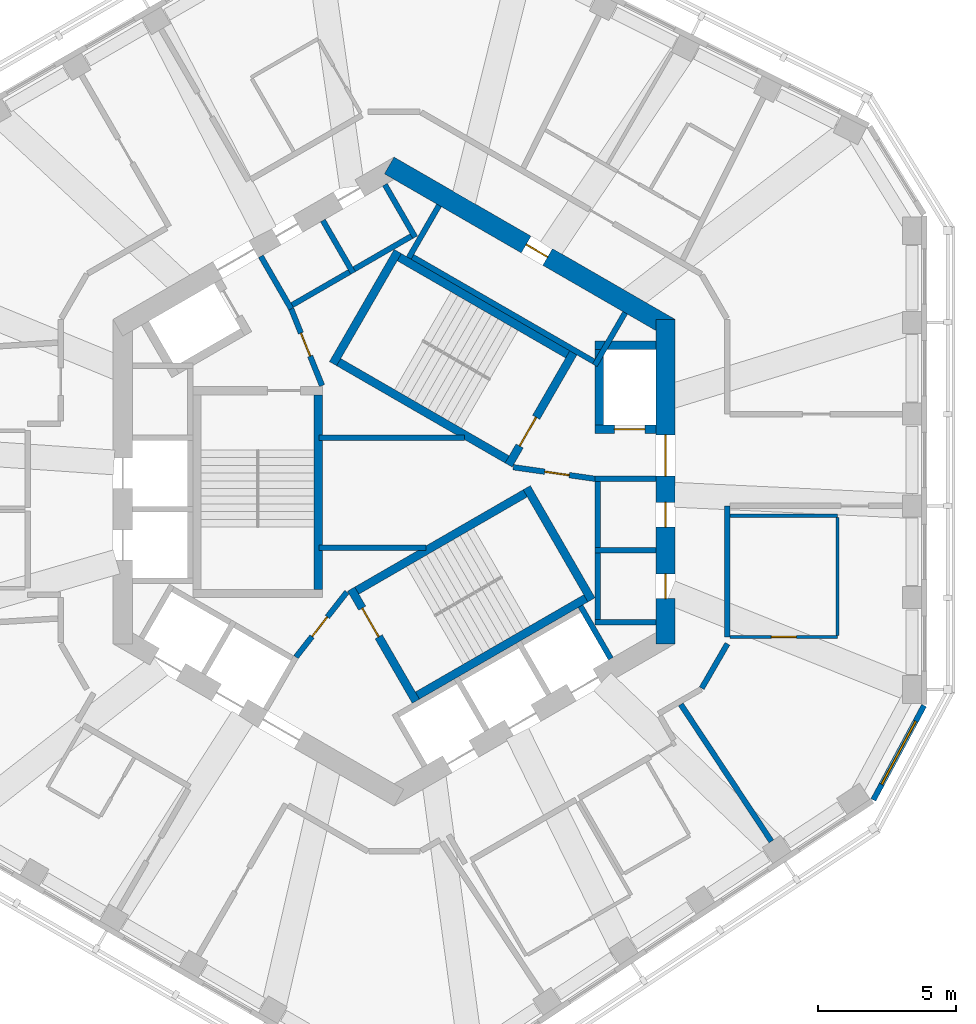
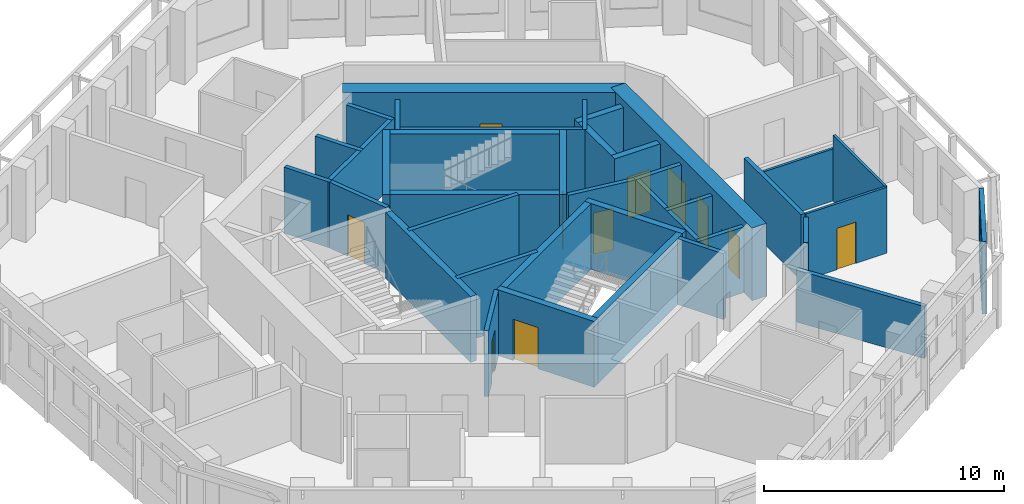
# One storey, part 6 of 11: 38 walls, 11 doors, 1 window, 12 openings.
"""IFC4 building model written with IfcOpenShell, lengths in metres."""

import ifcopenshell
import ifcopenshell.guid

model = None  # the IFC model being written
_history = None  # IfcOwnerHistory: only IFC2X3 demands one
_inside = {}  # id of a spatial element -> (the spatial element, [elements in it])
_under = {}  # id of a project, library or spatial element -> (it, [spatial elements below it])
_declared = {}  # id of a project -> (the project, [libraries it declares])
_typed = {}  # id of a type object -> (the type object, [elements of that type])
_made_of = {}  # id of a material, layer set ... -> (it, [elements and type objects made of it])


def new_model(schema):
    """Start an empty IFC model of exactly this schema.

    Asked for "IFC4X3", IfcOpenShell would pick the latest addendum, in which some entities
    have other attributes; the version numbers below select the first issue.
    IFC2X3 requires an IfcOwnerHistory on every rooted entity: one is made here for all.
    """
    global model, _history
    if schema == "IFC4X3":
        model = ifcopenshell.file(schema_version=(4, 3, 0, 0))
    else:
        model = ifcopenshell.file(schema=schema)
    _inside.clear()
    _under.clear()
    _declared.clear()
    _typed.clear()
    _made_of.clear()
    _history = None
    if model.schema == "IFC2X3":
        org = make("IfcOrganization", Name="unknown")
        user = make(
            "IfcPersonAndOrganization",
            ThePerson=make("IfcPerson", FamilyName="unknown"),
            TheOrganization=org,
        )
        app = make(
            "IfcApplication",
            ApplicationDeveloper=org,
            Version="unknown",
            ApplicationFullName="unknown",
            ApplicationIdentifier="unknown",
        )
        _history = make(
            "IfcOwnerHistory",
            OwningUser=user,
            OwningApplication=app,
            ChangeAction="ADDED",
            CreationDate=0,
        )
    return model


def make(cls, **values):
    """One entity of the class cls with the attributes given. An attribute that is None is left unset."""
    return model.create_entity(
        cls, **{name: value for name, value in values.items() if value is not None}
    )


def rooted(cls, **values):
    """An entity with a GlobalId (a new one), such as an element, a storey or a relation."""
    return make(cls, GlobalId=ifcopenshell.guid.new(), OwnerHistory=_history, **values)


def si_unit(unit_type, name, prefix=None):
    """IfcSIUnit, for example si_unit("LENGTHUNIT", "METRE", prefix="MILLI")."""
    return make("IfcSIUnit", UnitType=unit_type, Prefix=prefix, Name=name)


def assignment(units):
    """IfcUnitAssignment: the units of a project."""
    return None if units is None else make("IfcUnitAssignment", Units=units)


def point(xyz):
    """IfcCartesianPoint."""
    return None if xyz is None else make("IfcCartesianPoint", Coordinates=xyz)


def direction(xyz):
    """IfcDirection."""
    return None if xyz is None else make("IfcDirection", DirectionRatios=xyz)


def frame(location, z_axis=None, x_axis=None):
    """IfcAxis2Placement3D, a coordinate frame: its origin and axes. An axis left out is left unset."""
    return make(
        "IfcAxis2Placement3D",
        Location=point(location),
        Axis=direction(z_axis),
        RefDirection=direction(x_axis),
    )


def frame_2d(location, x_axis=None):
    """IfcAxis2Placement2D, a coordinate frame in the plane: its origin and x axis."""
    return make(
        "IfcAxis2Placement2D", Location=point(location), RefDirection=direction(x_axis)
    )


def origin():
    """The frame at (0, 0, 0) with its axes left unset."""
    return frame((0.0, 0.0, 0.0))


def place(relative_to, where):
    """IfcLocalPlacement: puts the frame where relative to a parent placement (None: the world)."""
    return make(
        "IfcLocalPlacement", PlacementRelTo=relative_to, RelativePlacement=where
    )


def context(
    kind, dimensions, precision=None, world=None, true_north=None, identifier=None
):
    """IfcGeometricRepresentationContext, for example the 3D "Model" context."""
    return make(
        "IfcGeometricRepresentationContext",
        ContextIdentifier=identifier,
        ContextType=kind,
        CoordinateSpaceDimension=dimensions,
        Precision=precision,
        WorldCoordinateSystem=world,
        TrueNorth=true_north,
    )


def subcontext(parent, identifier, kind, view, scale=None):
    """IfcGeometricRepresentationSubContext, for example "Body" below "Model"."""
    return make(
        "IfcGeometricRepresentationSubContext",
        ContextIdentifier=identifier,
        ContextType=kind,
        ParentContext=parent,
        TargetScale=scale,
        TargetView=view,
    )


def project(units=None, contexts=None):
    """IfcProject with its units and contexts."""
    return rooted(
        "IfcProject",
        Name="project",
        RepresentationContexts=contexts,
        UnitsInContext=assignment(units),
    )


def spatial(cls, under=None, at=None, **own):
    """A site, building, storey or space (cls), placed at a placement, below another one or the project."""
    s = rooted(cls, ObjectPlacement=at, **own)
    if under is not None:
        _under.setdefault(under.id(), (under, []))[1].append(s)
    return s


def profile(cls, at=None, kind="AREA", **sizes):
    """A parametric profile (cls). Its sizes go by their IFC names, for example OverallWidth=200.0."""
    return make(cls, ProfileType=kind, Position=at, **sizes)


def rectangle(**sizes):
    """IfcRectangleProfileDef."""
    return profile("IfcRectangleProfileDef", **sizes)


def extrude(swept, where, along, depth):
    """IfcExtrudedAreaSolid: the profile swept, set in the frame where, extruded along a direction by depth."""
    return make(
        "IfcExtrudedAreaSolid",
        SweptArea=swept,
        Position=where,
        ExtrudedDirection=direction(along),
        Depth=depth,
    )


def shape(context_of_items, identifier, shape_type, items):
    """IfcShapeRepresentation: the items that make up one representation, for example the "Body"."""
    return make(
        "IfcShapeRepresentation",
        ContextOfItems=context_of_items,
        RepresentationIdentifier=identifier,
        RepresentationType=shape_type,
        Items=items,
    )


def material(Name=None, Category=None):
    """IfcMaterial."""
    return make("IfcMaterial", Name=Name, Category=Category)


def layer(
    of_material, thickness, ventilated=None, Name=None, Category=None, Priority=None
):
    """IfcMaterialLayer: one layer of a wall or slab, of a material (None: an air gap)."""
    return make(
        "IfcMaterialLayer",
        Material=of_material,
        LayerThickness=thickness,
        IsVentilated=ventilated,
        Name=Name,
        Category=Category,
        Priority=Priority,
    )


def layer_set(layers, Name=None):
    """IfcMaterialLayerSet."""
    return make("IfcMaterialLayerSet", MaterialLayers=layers, LayerSetName=Name)


def made_of(thing, what):
    """Note that an element or type object is made of a material, layer set ...; save() writes the relation."""
    if what is not None:
        _made_of.setdefault(what.id(), (what, []))[1].append(thing)
    return thing


def type_object(cls, material=None, **own):
    """A type object (cls), such as IfcWallType, which elements share."""
    return made_of(rooted(cls, **own), material)


def element(
    cls,
    number,
    at=None,
    inside=None,
    cuts=None,
    type_object=None,
    material=None,
    context=None,
    identifier="Body",
    shape_type=None,
    held_by="IfcProductDefinitionShape",
    body=None,
    shapes=None,
    **own,
):
    """One element of the class cls, such as IfcWall. Its Tag is "e" and its number.

    at: its placement. inside: the storey or other place that contains it. cuts: it is an
    opening in that element (IfcRelVoidsElement). A single representation is given by context,
    identifier, shape_type and body (its items); several are given by shapes. held_by: the class
    of the entity that holds the representations. save() writes the other relations.
    """
    e = rooted(cls, Tag="e%d" % number, ObjectPlacement=at, **own)
    if body is not None:
        shapes = [shape(context, identifier, shape_type, body)]
    if shapes is not None:
        e.Representation = make(held_by, Representations=shapes)
    if inside is not None:
        _inside.setdefault(inside.id(), (inside, []))[1].append(e)
    if cuts is not None:
        rooted(
            "IfcRelVoidsElement", RelatingBuildingElement=cuts, RelatedOpeningElement=e
        )
    if type_object is not None:
        _typed.setdefault(type_object.id(), (type_object, []))[1].append(e)
    return made_of(e, material)


def fill(opening, filler):
    """IfcRelFillsElement: the door or window that sits in an opening."""
    return rooted(
        "IfcRelFillsElement",
        RelatingOpeningElement=opening,
        RelatedBuildingElement=filler,
    )


def aggregate(whole, parts):
    """IfcRelAggregates: a whole, such as a stair, and the parts it consists of."""
    return rooted("IfcRelAggregates", RelatingObject=whole, RelatedObjects=parts)


def save(model, path):
    """Write the relations noted so far, then the file.

    IfcRelAggregates (storeys below a building ...), IfcRelContainedInSpatialStructure (elements
    in a storey), IfcRelDefinesByType, IfcRelAssociatesMaterial and IfcRelDeclares: one each for
    every whole, place, type object, material and project.
    """
    for whole, parts in _under.values():
        aggregate(whole, parts)
    for where, things in _inside.values():
        rooted(
            "IfcRelContainedInSpatialStructure",
            RelatedElements=things,
            RelatingStructure=where,
        )
    for kind, things in _typed.values():
        rooted("IfcRelDefinesByType", RelatedObjects=things, RelatingType=kind)
    for what, things in _made_of.values():
        rooted("IfcRelAssociatesMaterial", RelatedObjects=things, RelatingMaterial=what)
    for by, libraries in _declared.values():
        rooted("IfcRelDeclares", RelatingContext=by, RelatedDefinitions=libraries)
    model.write(path)


model = new_model("IFC4")

# Units and contexts
model_context = context("Model", 3, precision=1e-05, world=origin(), true_north=direction((0.0, 1.0)))
body_context = subcontext(model_context, "Body", "Model", "MODEL_VIEW")
ifc_project = project(units=[si_unit("LENGTHUNIT", "METRE"), si_unit("AREAUNIT", "SQUARE_METRE"), si_unit("VOLUMEUNIT", "CUBIC_METRE"), si_unit("PLANEANGLEUNIT", "RADIAN"), si_unit("MASSUNIT", "GRAM", prefix="KILO")], contexts=[model_context])

# Site, building, storey
site_placement = place(None, origin())
site = spatial("IfcSite", under=ifc_project, at=site_placement, CompositionType="ELEMENT")
building_placement = place(site_placement, origin())
building = spatial("IfcBuilding", under=site, at=building_placement, Name="Vanh Sen Convention Tower", CompositionType="ELEMENT")
storey_placement = place(building_placement, frame((0.0, 0.0, 274.60009765625)))
storey = spatial("IfcBuildingStorey", under=building, at=storey_placement, Name="L68", CompositionType="ELEMENT", Elevation=274.60009765625)

# Wall
ifc_material_1 = material(Name="Moisture-resistant gypsum board on steel studs", Category="steel")
ifc_layer_1 = layer(ifc_material_1, 0.1201171875)
ifc_layer_set_1 = layer_set([ifc_layer_1], Name="Moisture-resistant gypsum board on steel studs")
wall_type_1 = type_object("IfcWallType", Name="Bathroom partition 120", PredefinedType="PARTITIONING", material=ifc_layer_set_1)
wall_1_placement = place(storey_placement, frame((12.199951171875, -1.239013671875, 0.0), z_axis=(0.0, 0.0, 1.0), x_axis=(1.0, 0.0, 0.0)))
element("IfcWall", 1, at=wall_1_placement, inside=storey, type_object=wall_type_1, Name="Bathroom partition 120", PredefinedType="PARTITIONING", context=body_context, shape_type="SweptSolid", body=[
    extrude(rectangle(XDim=3.900146484375, YDim=0.1201171875, at=frame_2d((1.9501953125, 0.0))), origin(), (0.0, 0.0, 1.0), 2.64990234375),
])

# Wall, opening, door
wall_2_placement = place(storey_placement, frame((16.10009765625, -5.638916015625, 0.0), z_axis=(0.0, 0.0, 1.0), x_axis=(-1.0, 0.0, 0.0)))
wall_2 = element("IfcWall", 2, at=wall_2_placement, inside=storey, type_object=wall_type_1, Name="Bathroom partition 120", PredefinedType="PARTITIONING", context=body_context, shape_type="SweptSolid", body=[
    extrude(rectangle(XDim=3.900146484375, YDim=0.1201171875, at=frame_2d((1.9501953125, 0.0))), origin(), (0.0, 0.0, 1.0), 3.349853515625),
])
opening_1_placement = place(wall_2_placement, frame((1.5, 0.0, 0.0)))
opening_1 = element("IfcOpeningElement", 3, at=opening_1_placement, cuts=wall_2, Name="Opening D67119", PredefinedType="OPENING", context=body_context, shape_type="SweptSolid", body=[
    extrude(rectangle(XDim=0.89990234375, YDim=2.10009765625, at=frame_2d((0.449951171875, 1.050048828125))), frame((0.0, 0.070068359375, 0.0), z_axis=(0.0, -1.0, 0.0), x_axis=(1.0, 0.0, 0.0)), (0.0, 0.0, 1.0), 0.14013671875),
])
ifc_material_2 = material(Name="Laminate door in steel frame", Category="steel")
door_type_1 = type_object("IfcDoorType", Name="Room internal door 900", OperationType="SINGLE_SWING_LEFT", PredefinedType="DOOR", material=ifc_material_2)
door_1_placement = place(opening_1_placement, origin())
door_1 = element("IfcDoor", 4, at=door_1_placement, inside=storey, type_object=door_type_1, Name="Internal room door D67119", OperationType="SINGLE_SWING_LEFT", OverallHeight=2.10009765625, OverallWidth=0.89990234375, PredefinedType="DOOR", context=body_context, shape_type="SweptSolid", body=[
    extrude(rectangle(XDim=0.89990234375, YDim=2.10009765625, at=frame_2d((0.449951171875, 1.050048828125))), frame((0.0, 0.02490234375, 0.0), z_axis=(0.0, -1.0, 0.0), x_axis=(1.0, 0.0, 0.0)), (0.0, 0.0, 1.0), 0.050048828125),
])
fill(opening_1, door_1)

# Wall
wall_3_placement = place(storey_placement, frame((16.10009765625, -1.299072265625, 0.0), z_axis=(0.0, 0.0, 1.0), x_axis=(0.0, -1.0, 0.0)))
element("IfcWall", 5, at=wall_3_placement, inside=storey, type_object=wall_type_1, Name="Bathroom partition 120", PredefinedType="PARTITIONING", context=body_context, shape_type="SweptSolid", body=[
    extrude(rectangle(XDim=4.280029296875, YDim=0.1201171875, at=frame_2d((2.14013671875, 0.0))), origin(), (0.0, 0.0, 1.0), 3.349853515625),
])

# Wall, openings, doors
ifc_material_3 = material(Name="Concrete C60/75", Category="concrete")
ifc_layer_2 = layer(ifc_material_3, 0.699951171875)
ifc_layer_set_2 = layer_set([ifc_layer_2], Name="Concrete C60/75")
wall_type_2 = type_object("IfcWallType", Name="Core outer wall 700 C60/75", PredefinedType="SHEAR", material=ifc_layer_set_2)
wall_4_placement = place(storey_placement, frame((9.85009765625, -5.888916015625, 0.0), z_axis=(0.0, 0.0, 1.0), x_axis=(0.0, 1.0, 0.0)))
wall_4 = element("IfcWall", 6, at=wall_4_placement, inside=storey, type_object=wall_type_2, Name="Core wall face E L68", PredefinedType="SHEAR", context=body_context, shape_type="SweptSolid", body=[
    extrude(rectangle(XDim=11.77783203125, YDim=0.699951171875, at=frame_2d((5.888916015625, 0.0))), origin(), (0.0, 0.0, 1.0), 3.699951171875),
])
opening_2_placement = place(wall_4_placement, frame((6.089111328125, 0.0, 0.0)))
opening_2 = element("IfcOpeningElement", 7, at=opening_2_placement, cuts=wall_4, Name="Opening D67001", PredefinedType="OPENING", context=body_context, shape_type="SweptSolid", body=[
    extrude(rectangle(XDim=1.5, YDim=2.10009765625, at=frame_2d((0.75, 1.050048828125))), frame((0.0, 0.35986328125, 0.0), z_axis=(0.0, -1.0, 0.0), x_axis=(1.0, 0.0, 0.0)), (0.0, 0.0, 1.0), 0.719970703125),
])
opening_3_placement = place(wall_4_placement, frame((1.638916015625, 0.0, 0.0)))
opening_3 = element("IfcOpeningElement", 8, at=opening_3_placement, cuts=wall_4, Name="Opening D67010", PredefinedType="OPENING", context=body_context, shape_type="SweptSolid", body=[
    extrude(rectangle(XDim=0.89990234375, YDim=2.10009765625, at=frame_2d((0.449951171875, 1.050048828125))), frame((0.0, 0.35986328125, 0.0), z_axis=(0.0, -1.0, 0.0), x_axis=(1.0, 0.0, 0.0)), (0.0, 0.0, 1.0), 0.719970703125),
])
opening_4_placement = place(wall_4_placement, frame((4.239013671875, 0.0, 0.0)))
opening_4 = element("IfcOpeningElement", 9, at=opening_4_placement, cuts=wall_4, Name="Opening D67011", PredefinedType="OPENING", context=body_context, shape_type="SweptSolid", body=[
    extrude(rectangle(XDim=0.89990234375, YDim=2.10009765625, at=frame_2d((0.449951171875, 1.050048828125))), frame((0.0, 0.35986328125, 0.0), z_axis=(0.0, -1.0, 0.0), x_axis=(1.0, 0.0, 0.0)), (0.0, 0.0, 1.0), 0.719970703125),
])
ifc_material_4 = material(Name="Steel S355", Category="steel")
door_type_2 = type_object("IfcDoorType", Name="Plant door 900", OperationType="SINGLE_SWING_LEFT", PredefinedType="DOOR", material=ifc_material_4)
door_2_placement = place(opening_3_placement, origin())
door_2 = element("IfcDoor", 10, at=door_2_placement, inside=storey, type_object=door_type_2, Name="Plant door D67010", OperationType="SINGLE_SWING_LEFT", OverallHeight=2.10009765625, OverallWidth=0.89990234375, PredefinedType="DOOR", context=body_context, shape_type="SweptSolid", body=[
    extrude(rectangle(XDim=0.89990234375, YDim=2.10009765625, at=frame_2d((0.449951171875, 1.050048828125))), frame((0.0, 0.02490234375, 0.0), z_axis=(0.0, -1.0, 0.0), x_axis=(1.0, 0.0, 0.0)), (0.0, 0.0, 1.0), 0.050048828125),
])
fill(opening_3, door_2)
door_3_placement = place(opening_4_placement, origin())
door_3 = element("IfcDoor", 11, at=door_3_placement, inside=storey, type_object=door_type_2, Name="Plant door D67011", OperationType="SINGLE_SWING_LEFT", OverallHeight=2.10009765625, OverallWidth=0.89990234375, PredefinedType="DOOR", context=body_context, shape_type="SweptSolid", body=[
    extrude(rectangle(XDim=0.89990234375, YDim=2.10009765625, at=frame_2d((0.449951171875, 1.050048828125))), frame((0.0, 0.02490234375, 0.0), z_axis=(0.0, -1.0, 0.0), x_axis=(1.0, 0.0, 0.0)), (0.0, 0.0, 1.0), 0.050048828125),
])
fill(opening_4, door_3)
door_type_3 = type_object("IfcDoorType", Name="Stair lobby door 1500", OperationType="DOUBLE_DOOR_SINGLE_SWING", PredefinedType="DOOR", material=ifc_material_4)
door_4_placement = place(opening_2_placement, origin())
door_4 = element("IfcDoor", 12, at=door_4_placement, inside=storey, type_object=door_type_3, Name="Stair lobby door D67001", OperationType="DOUBLE_DOOR_SINGLE_SWING", OverallHeight=2.10009765625, OverallWidth=1.5, PredefinedType="DOOR", context=body_context, shape_type="SweptSolid", body=[
    extrude(rectangle(XDim=1.5, YDim=2.10009765625, at=frame_2d((0.75, 1.050048828125))), frame((0.0, 0.02490234375, 0.0), z_axis=(0.0, -1.0, 0.0), x_axis=(1.0, 0.0, 0.0)), (0.0, 0.0, 1.0), 0.050048828125),
])
fill(opening_2, door_4)

# Wall, opening, door
wall_5_placement = place(storey_placement, frame((10.02490234375, 5.5859375, 0.0), z_axis=(0.0, 0.0, 1.0), x_axis=(-0.866026453023, 0.499998182661, 0.0)))
wall_5 = element("IfcWall", 13, at=wall_5_placement, inside=storey, type_object=wall_type_2, Name="Core wall face NE L68", PredefinedType="SHEAR", context=body_context, shape_type="SweptSolid", body=[
    extrude(rectangle(XDim=11.77783203125, YDim=0.699951171875, at=frame_2d((5.888916015625, 0.0))), origin(), (0.0, 0.0, 1.0), 3.699951171875),
])
opening_5_placement = place(wall_5_placement, frame((5.138916015625, 0.0, 0.0)))
opening_5 = element("IfcOpeningElement", 14, at=opening_5_placement, cuts=wall_5, Name="Opening D67012", PredefinedType="OPENING", context=body_context, shape_type="SweptSolid", body=[
    extrude(rectangle(XDim=0.89990234375, YDim=2.10009765625, at=frame_2d((0.449951171875, 1.050048828125))), frame((0.0, 0.35986328125, 0.0), z_axis=(0.0, -1.0, 0.0), x_axis=(1.0, 0.0, 0.0)), (0.0, 0.0, 1.0), 0.719970703125),
])
door_5_placement = place(opening_5_placement, origin())
door_5 = element("IfcDoor", 15, at=door_5_placement, inside=storey, type_object=door_type_2, Name="Plant door D67012", OperationType="SINGLE_SWING_LEFT", OverallHeight=2.10009765625, OverallWidth=0.89990234375, PredefinedType="DOOR", context=body_context, shape_type="SweptSolid", body=[
    extrude(rectangle(XDim=0.89990234375, YDim=2.10009765625, at=frame_2d((0.449951171875, 1.050048828125))), frame((0.0, 0.02490234375, 0.0), z_axis=(0.0, -1.0, 0.0), x_axis=(1.0, 0.0, 0.0)), (0.0, 0.0, 1.0), 0.050048828125),
])
fill(opening_5, door_5)

# Walls
ifc_material_5 = material(Name="Masonry blockwork", Category="masonry")
ifc_layer_3 = layer(ifc_material_5, 0.199951171875)
ifc_layer_set_3 = layer_set([ifc_layer_3], Name="Masonry blockwork")
wall_type_3 = type_object("IfcWallType", Name="Core partition 200", PredefinedType="PARTITIONING", material=ifc_layer_set_3)
wall_6_placement = place(storey_placement, frame((-2.719970703125, -2.39990234375, 0.0), z_axis=(0.0, 0.0, 1.0), x_axis=(1.0, 0.0, 0.0)))
element("IfcWall", 16, at=wall_6_placement, inside=storey, type_object=wall_type_3, Name="Core partition L68", PredefinedType="PARTITIONING", context=body_context, shape_type="SweptSolid", body=[
    extrude(rectangle(XDim=3.883056640625, YDim=0.199951171875, at=frame_2d((1.94140625, 0.0))), origin(), (0.0, 0.0, 1.0), 3.349853515625),
])
wall_7_placement = place(storey_placement, frame((-2.719970703125, 1.60009765625, 0.0), z_axis=(0.0, 0.0, 1.0), x_axis=(1.0, 0.0, 0.0)))
element("IfcWall", 17, at=wall_7_placement, inside=storey, type_object=wall_type_3, Name="Core partition L68", PredefinedType="PARTITIONING", context=body_context, shape_type="SweptSolid", body=[
    extrude(rectangle(XDim=5.2685546875, YDim=0.199951171875, at=frame_2d((2.63427734375, 0.0))), origin(), (0.0, 0.0, 1.0), 3.349853515625),
])
ifc_material_6 = material(Name="Gypsum board on steel studs with mineral wool", Category="steel")
ifc_layer_4 = layer(ifc_material_6, 0.199951171875)
ifc_layer_set_4 = layer_set([ifc_layer_4], Name="Gypsum board on steel studs with mineral wool")
wall_type_4 = type_object("IfcWallType", Name="Corridor partition wall 200", PredefinedType="PARTITIONING", material=ifc_layer_set_4)
wall_8_placement = place(storey_placement, frame((11.169921875, -7.5, 0.0), z_axis=(0.0, 0.0, 1.0), x_axis=(0.500006454166, 0.866021677438, 0.0)))
element("IfcWall", 18, at=wall_8_placement, inside=storey, type_object=wall_type_4, Name="Corridor partition wall 200", PredefinedType="PARTITIONING", context=body_context, shape_type="SweptSolid", body=[
    extrude(rectangle(XDim=1.8603515625, YDim=0.199951171875, at=frame_2d((0.93017578125, 0.0))), origin(), (0.0, 0.0, 1.0), 3.349853515625),
])
wall_9_placement = place(storey_placement, frame((12.10009765625, -5.638916015625, 0.0), z_axis=(0.0, 0.0, 1.0), x_axis=(0.0, 1.0, 0.0)))
element("IfcWall", 19, at=wall_9_placement, inside=storey, type_object=wall_type_4, Name="Corridor partition wall 200", PredefinedType="PARTITIONING", context=body_context, shape_type="SweptSolid", body=[
    extrude(rectangle(XDim=4.755615234375, YDim=0.199951171875, at=frame_2d((2.3779296875, 0.0))), origin(), (0.0, 0.0, 1.0), 3.349853515625),
])

# Wall, opening, window
ifc_material_7 = material(Name="Insulated lightweight infill wall")
ifc_layer_5 = layer(ifc_material_7, 0.199951171875)
ifc_layer_set_5 = layer_set([ifc_layer_5], Name="Insulated lightweight infill wall")
wall_type_5 = type_object("IfcWallType", Name="External wall 200", PredefinedType="STANDARD", material=ifc_layer_set_5)
wall_10_placement = place(storey_placement, frame((17.39892578125, -11.55419921875, 0.0), z_axis=(0.0, 0.0, 1.0), x_axis=(0.473309051311, 0.880896442238, 0.0)))
wall_10 = element("IfcWall", 20, at=wall_10_placement, inside=storey, type_object=wall_type_5, Name="External wall CH6 L68", PredefinedType="STANDARD", context=body_context, shape_type="SweptSolid", body=[
    extrude(rectangle(XDim=3.8857421875, YDim=0.199951171875, at=frame_2d((1.94287109375, 0.0))), origin(), (0.0, 0.0, 1.0), 3.699951171875),
])
opening_6_placement = place(wall_10_placement, frame((0.642822265625, 0.0, 0.89990234375)))
opening_6 = element("IfcOpeningElement", 21, at=opening_6_placement, cuts=wall_10, Name="Opening WO6-CH61", PredefinedType="OPENING", context=body_context, shape_type="SweptSolid", body=[
    extrude(rectangle(XDim=2.60009765625, YDim=2.0, at=frame_2d((1.300048828125, 1.0))), frame((0.0, 0.10986328125, 0.0), z_axis=(0.0, -1.0, 0.0), x_axis=(1.0, 0.0, 0.0)), (0.0, 0.0, 1.0), 0.219970703125),
])
ifc_material_8 = material(Name="Aluminium frame with clear low-emissivity glass", Category="aluminium")
window_type = type_object("IfcWindowType", Name="Office window 2600 x 2000", PartitioningType="SINGLE_PANEL", PredefinedType="WINDOW", material=ifc_material_8)
window_placement = place(opening_6_placement, origin())
window = element("IfcWindow", 22, at=window_placement, inside=storey, type_object=window_type, Name="Window WO6-CH61", OverallHeight=2.0, OverallWidth=2.60009765625, PartitioningType="SINGLE_PANEL", PredefinedType="WINDOW", context=body_context, shape_type="SweptSolid", body=[
    extrude(rectangle(XDim=2.60009765625, YDim=2.0, at=frame_2d((1.300048828125, 1.0))), frame((0.0, 0.030029296875, 0.0), z_axis=(0.0, -1.0, 0.0), x_axis=(1.0, 0.0, 0.0)), (0.0, 0.0, 1.0), 0.06005859375),
])
fill(opening_6, window)

# Wall, opening, door
ifc_layer_6 = layer(ifc_material_3, 0.300048828125)
ifc_layer_set_6 = layer_set([ifc_layer_6], Name="Concrete C60/75")
wall_type_6 = type_object("IfcWallType", Name="Fire-fighting lift shaft wall 300", PredefinedType="SHEAR", material=ifc_layer_set_6)
wall_11_placement = place(storey_placement, frame((7.300048828125, 1.89990234375, 0.0), z_axis=(0.0, 0.0, 1.0), x_axis=(1.0, 0.0, 0.0)))
wall_11 = element("IfcWall", 23, at=wall_11_placement, inside=storey, type_object=wall_type_6, Name="Fire-fighting lift shaft wall L68", PredefinedType="SHEAR", context=body_context, shape_type="SweptSolid", body=[
    extrude(rectangle(XDim=2.199951171875, YDim=0.300048828125, at=frame_2d((1.10009765625, 0.0))), origin(), (0.0, 0.0, 1.0), 3.349853515625),
])
opening_7_placement = place(wall_11_placement, frame((0.699951171875, 0.0, 0.0)))
opening_7 = element("IfcOpeningElement", 24, at=opening_7_placement, cuts=wall_11, Name="Opening LD-FF1", PredefinedType="OPENING", context=body_context, shape_type="SweptSolid", body=[
    extrude(rectangle(XDim=1.10009765625, YDim=2.10009765625, at=frame_2d((0.550048828125, 1.050048828125))), frame((0.0, 0.159912109375, 0.0), z_axis=(0.0, -1.0, 0.0), x_axis=(1.0, 0.0, 0.0)), (0.0, 0.0, 1.0), 0.320068359375),
])
ifc_material_9 = material(Name="Stainless steel", Category="steel")
door_type_4 = type_object("IfcDoorType", Name="Fire-fighting lift landing door 1100", OperationType="DOUBLE_DOOR_SLIDING", PredefinedType="DOOR", material=ifc_material_9)
door_6_placement = place(opening_7_placement, origin())
door_6 = element("IfcDoor", 25, at=door_6_placement, inside=storey, type_object=door_type_4, Name="Lift FF1 landing door LD-FF1", OperationType="DOUBLE_DOOR_SLIDING", OverallHeight=2.10009765625, OverallWidth=1.10009765625, PredefinedType="DOOR", context=body_context, shape_type="SweptSolid", body=[
    extrude(rectangle(XDim=1.10009765625, YDim=2.10009765625, at=frame_2d((0.550048828125, 1.050048828125))), frame((0.0, 0.02490234375, 0.0), z_axis=(0.0, -1.0, 0.0), x_axis=(1.0, 0.0, 0.0)), (0.0, 0.0, 1.0), 0.050048828125),
])
fill(opening_7, door_6)

# Walls
wall_12_placement = place(storey_placement, frame((7.449951171875, 1.75, 0.0), z_axis=(0.0, 0.0, 1.0), x_axis=(0.0, 1.0, 0.0)))
element("IfcWall", 26, at=wall_12_placement, inside=storey, type_object=wall_type_6, Name="Fire-fighting lift shaft wall L68", PredefinedType="SHEAR", context=body_context, shape_type="SweptSolid", body=[
    extrude(rectangle(XDim=3.35009765625, YDim=0.300048828125, at=frame_2d((1.675048828125, 0.0))), origin(), (0.0, 0.0, 1.0), 3.349853515625),
])
wall_13_placement = place(storey_placement, frame((7.300048828125, 4.949951171875, 0.0), z_axis=(0.0, 0.0, 1.0), x_axis=(1.0, 0.0, 0.0)))
element("IfcWall", 27, at=wall_13_placement, inside=storey, type_object=wall_type_6, Name="Fire-fighting lift shaft wall L68", PredefinedType="SHEAR", context=body_context, shape_type="SweptSolid", body=[
    extrude(rectangle(XDim=2.199951171875, YDim=0.300048828125, at=frame_2d((1.10009765625, 0.0))), origin(), (0.0, 0.0, 1.0), 3.349853515625),
])
ifc_material_10 = material(Name="Concrete C40/50", Category="concrete")
ifc_layer_7 = layer(ifc_material_10, 0.199951171875)
ifc_layer_set_7 = layer_set([ifc_layer_7], Name="Concrete C40/50")
wall_type_7 = type_object("IfcWallType", Name="Lift shaft wall 200", PredefinedType="PARTITIONING", material=ifc_layer_set_7)
wall_14_placement = place(storey_placement, frame((7.39990234375, -5.199951171875, 0.0), z_axis=(0.0, 0.0, 1.0), x_axis=(0.0, 1.0, 0.0)))
element("IfcWall", 28, at=wall_14_placement, inside=storey, type_object=wall_type_7, Name="Lift shaft wall L68", PredefinedType="PARTITIONING", context=body_context, shape_type="SweptSolid", body=[
    extrude(rectangle(XDim=5.39990234375, YDim=0.199951171875, at=frame_2d((2.699951171875, 0.0))), origin(), (0.0, 0.0, 1.0), 3.349853515625),
])
for number, where, z_axis, x_axis, name in (
    (29, (7.300048828125, -5.10009765625, 0.0), (0.0, 0.0, 1.0), (1.0, 0.0, 0.0), "Lift shaft wall L68"),
    (30, (7.300048828125, -2.5, 0.0), (0.0, 0.0, 1.0), (1.0, 0.0, 0.0), "Lift shaft wall L68"),
    (31, (7.300048828125, 0.10009765625, 0.0), (0.0, 0.0, 1.0), (1.0, 0.0, 0.0), "Lift shaft wall L68"),
):
    element("IfcWall", number, at=place(storey_placement, frame(where, z_axis=z_axis, x_axis=x_axis)), inside=storey, type_object=wall_type_7, Name=name, PredefinedType="PARTITIONING", context=body_context, shape_type="SweptSolid", body=[
        extrude(rectangle(XDim=2.199951171875, YDim=0.199951171875, at=frame_2d((1.10009765625, 0.0))), origin(), (0.0, 0.0, 1.0), 3.349853515625),
    ])
wall_15_placement = place(storey_placement, frame((7.423828125, 4.258544921875, 0.0), z_axis=(0.0, 0.0, 1.0), x_axis=(-0.866026010844, 0.49999894854, 0.0)))
element("IfcWall", 32, at=wall_15_placement, inside=storey, type_object=wall_type_7, Name="Lift shaft wall L68", PredefinedType="PARTITIONING", context=body_context, shape_type="SweptSolid", body=[
    extrude(rectangle(XDim=8.0, YDim=0.199951171875, at=frame_2d((4.0, 0.0))), origin(), (0.0, 0.0, 1.0), 3.349853515625),
])
for number, where, z_axis, x_axis, name in (
    (33, (7.287353515625, 4.221923828125, 0.0), (0.0, 0.0, 1.0), (0.499946605688, 0.86605622881, 0.0), "Lift shaft wall L68"),
    (34, (0.5322265625, 8.1220703125, 0.0), (0.0, 0.0, 1.0), (0.500077893725, 0.86598042715, 0.0), "Lift shaft wall L68"),
):
    element("IfcWall", number, at=place(storey_placement, frame(where, z_axis=z_axis, x_axis=x_axis)), inside=storey, type_object=wall_type_7, Name=name, PredefinedType="PARTITIONING", context=body_context, shape_type="SweptSolid", body=[
        extrude(rectangle(XDim=2.199951171875, YDim=0.199951171875, at=frame_2d((1.10009765625, 0.0))), origin(), (0.0, 0.0, 1.0), 3.349853515625),
    ])
wall_16_placement = place(storey_placement, frame((0.80322265625, 9.008544921875, 0.0), z_axis=(0.0, 0.0, 1.0), x_axis=(-0.866028230842, -0.499995103361, 0.0)))
element("IfcWall", 35, at=wall_16_placement, inside=storey, type_object=wall_type_7, Name="Lift shaft wall L68", PredefinedType="PARTITIONING", context=body_context, shape_type="SweptSolid", body=[
    extrude(rectangle(XDim=5.39990234375, YDim=0.199951171875, at=frame_2d((2.699951171875, 0.0))), origin(), (0.0, 0.0, 1.0), 3.349853515625),
])
wall_17_placement = place(storey_placement, frame((0.7666015625, 8.8720703125, 0.0), z_axis=(0.0, 0.0, 1.0), x_axis=(-0.499994660107, 0.866028486751, 0.0)))
element("IfcWall", 36, at=wall_17_placement, inside=storey, type_object=wall_type_7, Name="Lift shaft wall L68", PredefinedType="PARTITIONING", context=body_context, shape_type="SweptSolid", body=[
    extrude(rectangle(XDim=2.19970703125, YDim=0.199951171875, at=frame_2d((1.099853515625, 0.0))), origin(), (0.0, 0.0, 1.0), 3.349853515625),
])
for number, where, z_axis, x_axis, name in (
    (37, (-1.48486328125, 7.572021484375, 0.0), (0.0, 0.0, 1.0), (-0.50002983664, 0.866008176907, 0.0), "Lift shaft wall L68"),
    (38, (-3.736572265625, 6.27197265625, 0.0), (0.0, 0.0, 1.0), (-0.50002983664, 0.866008176907, 0.0), "Lift shaft wall L68"),
    (39, (6.767578125, -4.52197265625, 0.0), (0.0, 0.0, 1.0), (0.50002983664, -0.866008176907, 0.0), "Lift shaft wall L68"),
):
    element("IfcWall", number, at=place(storey_placement, frame(where, z_axis=z_axis, x_axis=x_axis)), inside=storey, type_object=wall_type_7, Name=name, PredefinedType="PARTITIONING", context=body_context, shape_type="SweptSolid", body=[
        extrude(rectangle(XDim=2.199951171875, YDim=0.199951171875, at=frame_2d((1.10009765625, 0.0))), origin(), (0.0, 0.0, 1.0), 3.349853515625),
    ])

# Wall, opening, door
ifc_layer_8 = layer(ifc_material_10, 0.199951171875)
ifc_layer_set_8 = layer_set([ifc_layer_8], Name="Concrete C40/50")
wall_type_8 = type_object("IfcWallType", Name="Stair lobby wall 200", PredefinedType="PARTITIONING", material=ifc_layer_set_8)
wall_18_placement = place(storey_placement, frame((4.327392578125, 0.52099609375, 0.0), z_axis=(0.0, 0.0, 1.0), x_axis=(0.990124376366, -0.14019172346, 0.0)))
wall_18 = element("IfcWall", 40, at=wall_18_placement, inside=storey, type_object=wall_type_8, Name="Stair lobby wall L68", PredefinedType="PARTITIONING", context=body_context, shape_type="SweptSolid", body=[
    extrude(rectangle(XDim=3.002197265625, YDim=0.199951171875, at=frame_2d((1.5009765625, 0.0))), origin(), (0.0, 0.0, 1.0), 3.349853515625),
])
opening_8_placement = place(wall_18_placement, frame((1.14990234375, 0.0, 0.0)))
opening_8 = element("IfcOpeningElement", 41, at=opening_8_placement, cuts=wall_18, Name="Opening D67007", PredefinedType="OPENING", context=body_context, shape_type="SweptSolid", body=[
    extrude(rectangle(XDim=0.89990234375, YDim=2.10009765625, at=frame_2d((0.449951171875, 1.050048828125))), frame((0.0, 0.10986328125, 0.0), z_axis=(0.0, -1.0, 0.0), x_axis=(1.0, 0.0, 0.0)), (0.0, 0.0, 1.0), 0.219970703125),
])
door_7_placement = place(opening_8_placement, origin())
door_7 = element("IfcDoor", 42, at=door_7_placement, inside=storey, type_object=door_type_2, Name="Plant door D67007", OperationType="SINGLE_SWING_LEFT", OverallHeight=2.10009765625, OverallWidth=0.89990234375, PredefinedType="DOOR", context=body_context, shape_type="SweptSolid", body=[
    extrude(rectangle(XDim=0.89990234375, YDim=2.10009765625, at=frame_2d((0.449951171875, 1.050048828125))), frame((0.0, 0.02490234375, 0.0), z_axis=(0.0, -1.0, 0.0), x_axis=(1.0, 0.0, 0.0)), (0.0, 0.0, 1.0), 0.050048828125),
])
fill(opening_8, door_7)

wall_19_placement = place(storey_placement, frame((-2.614990234375, 3.487060546875, 0.0), z_axis=(0.0, 0.0, 1.0), x_axis=(-0.373576831041, 0.92759924068, 0.0)))
wall_19 = element("IfcWall", 43, at=wall_19_placement, inside=storey, type_object=wall_type_8, Name="Stair lobby wall L68", PredefinedType="PARTITIONING", context=body_context, shape_type="SweptSolid", body=[
    extrude(rectangle(XDim=3.002197265625, YDim=0.199951171875, at=frame_2d((1.5009765625, 0.0))), origin(), (0.0, 0.0, 1.0), 3.349853515625),
])
opening_9_placement = place(wall_19_placement, frame((1.14990234375, 0.0, 0.0)))
opening_9 = element("IfcOpeningElement", 44, at=opening_9_placement, cuts=wall_19, Name="Opening D67008", PredefinedType="OPENING", context=body_context, shape_type="SweptSolid", body=[
    extrude(rectangle(XDim=0.89990234375, YDim=2.10009765625, at=frame_2d((0.449951171875, 1.050048828125))), frame((0.0, 0.10986328125, 0.0), z_axis=(0.0, -1.0, 0.0), x_axis=(1.0, 0.0, 0.0)), (0.0, 0.0, 1.0), 0.219970703125),
])
door_8_placement = place(opening_9_placement, origin())
door_8 = element("IfcDoor", 45, at=door_8_placement, inside=storey, type_object=door_type_2, Name="Plant door D67008", OperationType="SINGLE_SWING_LEFT", OverallHeight=2.10009765625, OverallWidth=0.89990234375, PredefinedType="DOOR", context=body_context, shape_type="SweptSolid", body=[
    extrude(rectangle(XDim=0.89990234375, YDim=2.10009765625, at=frame_2d((0.449951171875, 1.050048828125))), frame((0.0, 0.02490234375, 0.0), z_axis=(0.0, -1.0, 0.0), x_axis=(1.0, 0.0, 0.0)), (0.0, 0.0, 1.0), 0.050048828125),
])
fill(opening_9, door_8)

wall_20_placement = place(storey_placement, frame((-1.71240234375, -4.00830078125, 0.0), z_axis=(0.0, 0.0, 1.0), x_axis=(-0.616549420702, -0.787316208287, 0.0)))
wall_20 = element("IfcWall", 46, at=wall_20_placement, inside=storey, type_object=wall_type_8, Name="Stair lobby wall L68", PredefinedType="PARTITIONING", context=body_context, shape_type="SweptSolid", body=[
    extrude(rectangle(XDim=3.002197265625, YDim=0.199951171875, at=frame_2d((1.5009765625, 0.0))), origin(), (0.0, 0.0, 1.0), 3.349853515625),
])
opening_10_placement = place(wall_20_placement, frame((1.14990234375, 0.0, 0.0)))
opening_10 = element("IfcOpeningElement", 47, at=opening_10_placement, cuts=wall_20, Name="Opening D67009", PredefinedType="OPENING", context=body_context, shape_type="SweptSolid", body=[
    extrude(rectangle(XDim=0.89990234375, YDim=2.10009765625, at=frame_2d((0.449951171875, 1.050048828125))), frame((0.0, 0.10986328125, 0.0), z_axis=(0.0, -1.0, 0.0), x_axis=(1.0, 0.0, 0.0)), (0.0, 0.0, 1.0), 0.219970703125),
])
door_9_placement = place(opening_10_placement, origin())
door_9 = element("IfcDoor", 48, at=door_9_placement, inside=storey, type_object=door_type_2, Name="Plant door D67009", OperationType="SINGLE_SWING_LEFT", OverallHeight=2.10009765625, OverallWidth=0.89990234375, PredefinedType="DOOR", context=body_context, shape_type="SweptSolid", body=[
    extrude(rectangle(XDim=0.89990234375, YDim=2.10009765625, at=frame_2d((0.449951171875, 1.050048828125))), frame((0.0, 0.02490234375, 0.0), z_axis=(0.0, -1.0, 0.0), x_axis=(1.0, 0.0, 0.0)), (0.0, 0.0, 1.0), 0.050048828125),
])
fill(opening_10, door_9)

ifc_layer_9 = layer(ifc_material_3, 0.300048828125)
ifc_layer_set_9 = layer_set([ifc_layer_9], Name="Concrete C60/75")
wall_type_9 = type_object("IfcWallType", Name="Stair wall 300", PredefinedType="SHEAR", material=ifc_layer_set_9)
wall_21_placement = place(storey_placement, frame((4.157958984375, 0.601806640625, 0.0), z_axis=(0.0, 0.0, 1.0), x_axis=(0.499977259774, 0.866038532462, 0.0)))
wall_21 = element("IfcWall", 49, at=wall_21_placement, inside=storey, type_object=wall_type_9, Name="Stair wall L68", PredefinedType="SHEAR", context=body_context, shape_type="SweptSolid", body=[
    extrude(rectangle(XDim=4.699951171875, YDim=0.300048828125, at=frame_2d((2.35009765625, 0.0))), origin(), (0.0, 0.0, 1.0), 3.349853515625),
])
opening_11_placement = place(wall_21_placement, frame((0.800048828125, 0.0, 0.0)))
opening_11 = element("IfcOpeningElement", 50, at=opening_11_placement, cuts=wall_21, Name="Opening D67004", PredefinedType="OPENING", context=body_context, shape_type="SweptSolid", body=[
    extrude(rectangle(XDim=1.199951171875, YDim=2.10009765625, at=frame_2d((0.60009765625, 1.050048828125))), frame((0.0, 0.159912109375, 0.0), z_axis=(0.0, -1.0, 0.0), x_axis=(1.0, 0.0, 0.0)), (0.0, 0.0, 1.0), 0.320068359375),
])
door_type_5 = type_object("IfcDoorType", Name="Stair door 1200", OperationType="SINGLE_SWING_RIGHT", PredefinedType="DOOR", material=ifc_material_4)
door_10_placement = place(opening_11_placement, origin())
door_10 = element("IfcDoor", 51, at=door_10_placement, inside=storey, type_object=door_type_5, Name="Stair ST1 door D67004", OperationType="SINGLE_SWING_RIGHT", OverallHeight=2.10009765625, OverallWidth=1.199951171875, PredefinedType="DOOR", context=body_context, shape_type="SweptSolid", body=[
    extrude(rectangle(XDim=1.199951171875, YDim=2.10009765625, at=frame_2d((0.60009765625, 1.050048828125))), frame((0.0, 0.02490234375, 0.0), z_axis=(0.0, -1.0, 0.0), x_axis=(1.0, 0.0, 0.0)), (0.0, 0.0, 1.0), 0.050048828125),
])
fill(opening_11, door_10)

# Walls
wall_22_placement = place(storey_placement, frame((-2.216064453125, 4.28173828125, 0.0), z_axis=(0.0, 0.0, 1.0), x_axis=(0.499977259774, 0.866038532462, 0.0)))
element("IfcWall", 52, at=wall_22_placement, inside=storey, type_object=wall_type_9, Name="Stair wall L68", PredefinedType="SHEAR", context=body_context, shape_type="SweptSolid", body=[
    extrude(rectangle(XDim=4.699951171875, YDim=0.300048828125, at=frame_2d((2.35009765625, 0.0))), origin(), (0.0, 0.0, 1.0), 3.349853515625),
])
for number, where, z_axis, x_axis, name in (
    (53, (4.10302734375, 0.806640625, 0.0), (0.0, 0.0, 1.0), (-0.866027801685, 0.499995846692, 0.0), "Stair wall L68"),
    (54, (6.302978515625, 4.6171875, 0.0), (0.0, 0.0, 1.0), (-0.866027801685, 0.499995846692, 0.0), "Stair wall L68"),
):
    element("IfcWall", number, at=place(storey_placement, frame(where, z_axis=z_axis, x_axis=x_axis)), inside=storey, type_object=wall_type_9, Name=name, PredefinedType="SHEAR", context=body_context, shape_type="SweptSolid", body=[
        extrude(rectangle(XDim=7.06005859375, YDim=0.300048828125, at=frame_2d((3.530029296875, 0.0))), origin(), (0.0, 0.0, 1.0), 3.349853515625),
    ])
wall_23_placement = place(storey_placement, frame((-2.75, 3.14990234375, 0.0), z_axis=(0.0, 0.0, 1.0), x_axis=(0.0, -1.0, 0.0)))
element("IfcWall", 55, at=wall_23_placement, inside=storey, type_object=wall_type_9, Name="Stair wall L68", PredefinedType="SHEAR", context=body_context, shape_type="SweptSolid", body=[
    extrude(rectangle(XDim=7.059814453125, YDim=0.300048828125, at=frame_2d((3.52978515625, 0.0))), origin(), (0.0, 0.0, 1.0), 3.349853515625),
])

# Wall, opening, door
wall_24_placement = place(storey_placement, frame((-1.557861328125, -3.901611328125, 0.0), z_axis=(0.0, 0.0, 1.0), x_axis=(0.499977259774, -0.866038532462, 0.0)))
wall_24 = element("IfcWall", 56, at=wall_24_placement, inside=storey, type_object=wall_type_9, Name="Stair wall L68", PredefinedType="SHEAR", context=body_context, shape_type="SweptSolid", body=[
    extrude(rectangle(XDim=4.699951171875, YDim=0.300048828125, at=frame_2d((2.35009765625, 0.0))), origin(), (0.0, 0.0, 1.0), 3.349853515625),
])
opening_12_placement = place(wall_24_placement, frame((0.800048828125, 0.0, 0.0)))
opening_12 = element("IfcOpeningElement", 57, at=opening_12_placement, cuts=wall_24, Name="Opening D67006", PredefinedType="OPENING", context=body_context, shape_type="SweptSolid", body=[
    extrude(rectangle(XDim=1.199951171875, YDim=2.10009765625, at=frame_2d((0.60009765625, 1.050048828125))), frame((0.0, 0.159912109375, 0.0), z_axis=(0.0, -1.0, 0.0), x_axis=(1.0, 0.0, 0.0)), (0.0, 0.0, 1.0), 0.320068359375),
])
door_11_placement = place(opening_12_placement, origin())
door_11 = element("IfcDoor", 58, at=door_11_placement, inside=storey, type_object=door_type_5, Name="Stair ST3 door D67006", OperationType="SINGLE_SWING_RIGHT", OverallHeight=2.10009765625, OverallWidth=1.199951171875, PredefinedType="DOOR", context=body_context, shape_type="SweptSolid", body=[
    extrude(rectangle(XDim=1.199951171875, YDim=2.10009765625, at=frame_2d((0.60009765625, 1.050048828125))), frame((0.0, 0.02490234375, 0.0), z_axis=(0.0, -1.0, 0.0), x_axis=(1.0, 0.0, 0.0)), (0.0, 0.0, 1.0), 0.050048828125),
])
fill(opening_12, door_11)

# Walls
wall_25_placement = place(storey_placement, frame((4.816162109375, -0.2216796875, 0.0), z_axis=(0.0, 0.0, 1.0), x_axis=(0.499977259774, -0.866038532462, 0.0)))
element("IfcWall", 59, at=wall_25_placement, inside=storey, type_object=wall_type_9, Name="Stair wall L68", PredefinedType="SHEAR", context=body_context, shape_type="SweptSolid", body=[
    extrude(rectangle(XDim=4.699951171875, YDim=0.300048828125, at=frame_2d((2.35009765625, 0.0))), origin(), (0.0, 0.0, 1.0), 3.349853515625),
])
for number, where, z_axis, x_axis, name in (
    (60, (-1.35302734375, -3.95654296875, 0.0), (0.0, 0.0, 1.0), (0.866027801685, 0.499995846692, 0.0), "Stair wall L68"),
    (61, (0.846923828125, -7.76708984375, 0.0), (0.0, 0.0, 1.0), (0.866027801685, 0.499995846692, 0.0), "Stair wall L68"),
):
    element("IfcWall", number, at=place(storey_placement, frame(where, z_axis=z_axis, x_axis=x_axis)), inside=storey, type_object=wall_type_9, Name=name, PredefinedType="SHEAR", context=body_context, shape_type="SweptSolid", body=[
        extrude(rectangle(XDim=7.06005859375, YDim=0.300048828125, at=frame_2d((3.530029296875, 0.0))), origin(), (0.0, 0.0, 1.0), 3.349853515625),
    ])
ifc_layer_10 = layer(ifc_material_6, 0.199951171875)
ifc_layer_set_10 = layer_set([ifc_layer_10], Name="Gypsum board on steel studs with mineral wool")
wall_type_10 = type_object("IfcWallType", Name="Tenant suite wall 200", PredefinedType="PARTITIONING", material=ifc_layer_set_10)
wall_26_placement = place(storey_placement, frame((13.697998046875, -13.058837890625, 0.0), z_axis=(0.0, 0.0, 1.0), x_axis=(-0.551927229301, 0.833892279348, 0.0)))
element("IfcWall", 62, at=wall_26_placement, inside=storey, type_object=wall_type_10, Name="Tenant suite wall 200", PredefinedType="PARTITIONING", context=body_context, shape_type="SweptSolid", body=[
    extrude(rectangle(XDim=5.959716796875, YDim=0.199951171875, at=frame_2d((2.97998046875, 0.0))), origin(), (0.0, 0.0, 1.0), 2.64990234375),
])

save(model, "model.ifc")
